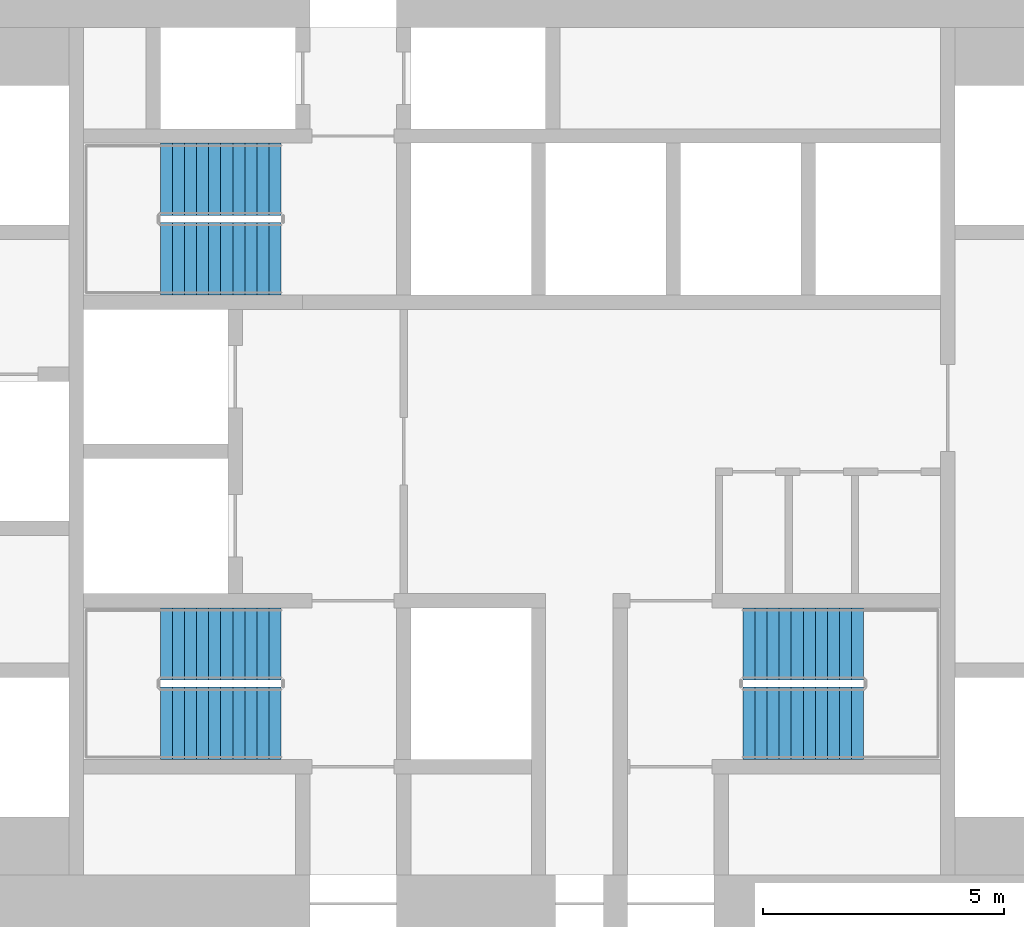
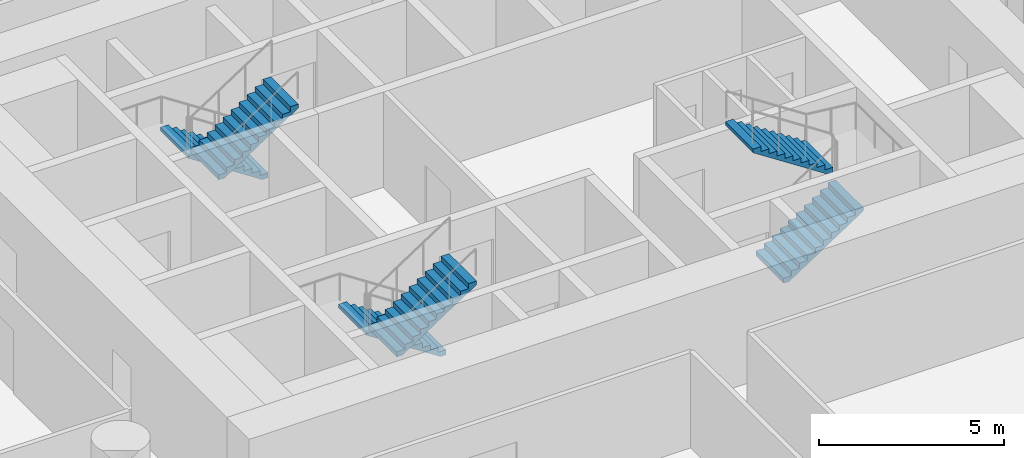
# One storey, part 11 of 12: 6 stair flights, 3 elements without a shape of their own.
"""IFC4 building model written with IfcOpenShell, lengths in metres."""

from ifc_helpers import new_model, si_unit, direction, frame, origin, place, context, subcontext, project, spatial, polyline, outline, extrude, material, type_object, element, aggregate, save


model = new_model("IFC4")

# Units and contexts
model_context = context("Model", 3, precision=1e-05, world=origin(), true_north=direction((0.0, 1.0)))
body_context = subcontext(model_context, "Body", "Model", "MODEL_VIEW")
ifc_project = project(units=[si_unit("LENGTHUNIT", "METRE"), si_unit("AREAUNIT", "SQUARE_METRE"), si_unit("VOLUMEUNIT", "CUBIC_METRE"), si_unit("PLANEANGLEUNIT", "RADIAN"), si_unit("MASSUNIT", "GRAM", prefix="KILO")], contexts=[model_context])

# Site, building, storey
site_placement = place(None, origin())
site = spatial("IfcSite", under=ifc_project, at=site_placement, CompositionType="ELEMENT")
building_placement = place(site_placement, origin())
building = spatial("IfcBuilding", under=site, at=building_placement, Name="Tracery Tower", CompositionType="ELEMENT")
storey_placement = place(building_placement, frame((0.0, 0.0, 31.800048828125)))
storey = spatial("IfcBuildingStorey", under=building, at=storey_placement, Name="L06", CompositionType="ELEMENT", Elevation=31.800048828125)

# Stair, stair flights
ifc_material_1 = material(Name="Concrete C32/40", Category="concrete")
stair_type = type_object("IfcStairType", Name="Core stair 22 risers", PredefinedType="HALF_TURN_STAIR", material=ifc_material_1)
stair_1_placement = place(storey_placement, origin())
stair_1 = element("IfcStair", 1, at=stair_1_placement, inside=storey, type_object=stair_type, Name="L06 stair ST1", PredefinedType="HALF_TURN_STAIR")
ifc_material_2 = material(Name="Concrete C32/40", Category="concrete")
stair_flight_type = type_object("IfcStairFlightType", Name="Core stair flight 11 risers", PredefinedType="STRAIGHT", material=ifc_material_2)
stair_flight_1_placement = place(storey_placement, frame((-4.800048828125, -4.0, 0.0), z_axis=(0.0, 0.0, 1.0), x_axis=(-1.0, 0.0, 0.0)))
stair_flight_1 = element("IfcStairFlight", 2, at=stair_flight_1_placement, type_object=stair_flight_type, Name="ST1 flight 1", NumberOfRisers=11, NumberOfTreads=10, PredefinedType="STRAIGHT", RiserHeight=0.163636364, TreadLength=0.25, context=body_context, shape_type="SweptSolid", body=[
    extrude(outline(polyline([(0.0, 0.0), (0.0, 0.002685546875), (0.0, 0.00537109375), (0.0, 0.008056640625), (0.0, 0.0107421875), (0.0, 0.013427734375), (0.0, 0.01611328125), (0.0, 0.018798828125), (0.0, 0.021484375), (0.0, 0.024169921875), (0.0, 0.02685546875), (0.0, 0.029541015625), (0.0, 0.0322265625), (0.0, 0.034912109375), (0.0, 0.03759765625), (0.0, 0.040283203125), (0.0, 0.04296875), (0.0, 0.045654296875), (0.0, 0.04833984375), (0.0, 0.051025390625), (0.0, 0.0537109375), (0.0, 0.056396484375), (0.0, 0.05908203125), (0.0, 0.061767578125), (0.0, 0.064453125), (0.0, 0.067138671875), (0.0, 0.06982421875), (0.0, 0.072509765625), (0.0, 0.0751953125), (0.0, 0.077880859375), (0.0, 0.08056640625), (0.0, 0.083251953125), (0.0, 0.0859375), (0.0, 0.088623046875), (0.0, 0.09130859375), (0.0, 0.093994140625), (0.0, 0.0966796875), (0.0, 0.099365234375), (0.0, 0.10205078125), (0.0, 0.104736328125), (0.0, 0.107421875), (0.0, 0.10986328125), (0.0, 0.112548828125), (0.0, 0.115234375), (0.0, 0.117919921875), (0.0, 0.12060546875), (0.0, 0.123291015625), (0.0, 0.1259765625), (0.0, 0.128662109375), (0.0, 0.13134765625), (0.0, 0.134033203125), (0.0, 0.13671875), (0.0, 0.139404296875), (0.0, 0.14208984375), (0.0, 0.144775390625), (0.0, 0.1474609375), (0.0, 0.150146484375), (0.0, 0.15283203125), (0.0, 0.155517578125), (0.0, 0.158203125), (0.0, 0.160888671875), (0.0, 0.16357421875), (0.25, 0.16357421875), (0.25, 0.327392578125), (0.5, 0.327392578125), (0.5, 0.490966796875), (0.75, 0.490966796875), (0.75, 0.654541015625), (1.0, 0.654541015625), (1.0, 0.818115234375), (1.25, 0.818115234375), (1.25, 0.98193359375), (1.5, 0.98193359375), (1.5, 1.1455078125), (1.75, 1.1455078125), (1.75, 1.30908203125), (2.0, 1.30908203125), (2.0, 1.47265625), (2.25, 1.47265625), (2.25, 1.636474609375), (2.5, 1.636474609375), (2.5, 1.634521484375), (2.5, 1.63232421875), (2.5, 1.63037109375), (2.5, 1.62841796875), (2.5, 1.62646484375), (2.5, 1.62451171875), (2.5, 1.62255859375), (2.5, 1.62060546875), (2.5, 1.61865234375), (2.5, 1.61669921875), (2.5, 1.61474609375), (2.5, 1.61279296875), (2.5, 1.61083984375), (2.5, 1.60888671875), (2.5, 1.60693359375), (2.5, 1.60498046875), (2.5, 1.60302734375), (2.5, 1.60107421875), (2.5, 1.59912109375), (2.5, 1.59716796875), (2.5, 1.59521484375), (2.5, 1.59326171875), (2.5, 1.59130859375), (2.5, 1.58935546875), (2.5, 1.58740234375), (2.5, 1.58544921875), (2.5, 1.58349609375), (2.5, 1.58154296875), (2.5, 1.57958984375), (2.5, 1.57763671875), (2.5, 1.57568359375), (2.5, 1.573486328125), (2.5, 1.571533203125), (2.5, 1.569580078125), (2.5, 1.567626953125), (2.5, 1.565673828125), (2.5, 1.563720703125), (2.5, 1.561767578125), (2.5, 1.559814453125), (2.5, 1.557861328125), (2.5, 1.555908203125), (2.5, 1.553955078125), (2.5, 1.552001953125), (2.5, 1.550048828125), (2.5, 1.548095703125), (2.5, 1.546142578125), (2.5, 1.544189453125), (2.5, 1.542236328125), (2.5, 1.540283203125), (2.5, 1.538330078125), (2.5, 1.536376953125), (2.5, 1.534423828125), (2.5, 1.532470703125), (2.5, 1.530517578125), (2.5, 1.528564453125), (2.5, 1.526611328125), (2.5, 1.524658203125), (2.5, 1.522705078125), (2.5, 1.520751953125), (2.5, 1.518798828125), (2.5, 1.516845703125), (0.182861328125, 0.0), (0.0, 0.0)])), frame((0.0, 0.75, 0.0), z_axis=(0.0, -1.0, 0.0), x_axis=(1.0, 0.0, 0.0)), (0.0, 0.0, 1.0), 1.5),
])
stair_flight_2_placement = place(storey_placement, frame((-7.300048828125, -5.64990234375, 1.800048828125), z_axis=(0.0, 0.0, 1.0), x_axis=(1.0, 0.0, 0.0)))
stair_flight_2 = element("IfcStairFlight", 3, at=stair_flight_2_placement, type_object=stair_flight_type, Name="ST1 flight 2", NumberOfRisers=11, NumberOfTreads=10, PredefinedType="STRAIGHT", RiserHeight=0.163636364, TreadLength=0.25, context=body_context, shape_type="SweptSolid", body=[
    extrude(outline(polyline([(0.0, 0.0), (0.0, 0.002685546875), (0.0, 0.00537109375), (0.0, 0.008056640625), (0.0, 0.0107421875), (0.0, 0.013427734375), (0.0, 0.01611328125), (0.0, 0.018798828125), (0.0, 0.021484375), (0.0, 0.024169921875), (0.0, 0.02685546875), (0.0, 0.029541015625), (0.0, 0.0322265625), (0.0, 0.034912109375), (0.0, 0.03759765625), (0.0, 0.040283203125), (0.0, 0.04296875), (0.0, 0.045654296875), (0.0, 0.04833984375), (0.0, 0.051025390625), (0.0, 0.0537109375), (0.0, 0.056396484375), (0.0, 0.05908203125), (0.0, 0.061767578125), (0.0, 0.064453125), (0.0, 0.067138671875), (0.0, 0.06982421875), (0.0, 0.072509765625), (0.0, 0.0751953125), (0.0, 0.077880859375), (0.0, 0.08056640625), (0.0, 0.083251953125), (0.0, 0.0859375), (0.0, 0.088623046875), (0.0, 0.09130859375), (0.0, 0.093994140625), (0.0, 0.0966796875), (0.0, 0.099365234375), (0.0, 0.10205078125), (0.0, 0.104736328125), (0.0, 0.107421875), (0.0, 0.10986328125), (0.0, 0.112548828125), (0.0, 0.115234375), (0.0, 0.117919921875), (0.0, 0.12060546875), (0.0, 0.123291015625), (0.0, 0.1259765625), (0.0, 0.128662109375), (0.0, 0.13134765625), (0.0, 0.134033203125), (0.0, 0.13671875), (0.0, 0.139404296875), (0.0, 0.14208984375), (0.0, 0.144775390625), (0.0, 0.1474609375), (0.0, 0.150146484375), (0.0, 0.15283203125), (0.0, 0.155517578125), (0.0, 0.158203125), (0.0, 0.160888671875), (0.0, 0.16357421875), (0.25, 0.16357421875), (0.25, 0.327392578125), (0.5, 0.327392578125), (0.5, 0.490966796875), (0.75, 0.490966796875), (0.75, 0.654541015625), (1.0, 0.654541015625), (1.0, 0.818115234375), (1.25, 0.818115234375), (1.25, 0.98193359375), (1.5, 0.98193359375), (1.5, 1.1455078125), (1.75, 1.1455078125), (1.75, 1.30908203125), (2.0, 1.30908203125), (2.0, 1.47265625), (2.25, 1.47265625), (2.25, 1.636474609375), (2.5, 1.636474609375), (2.5, 1.634521484375), (2.5, 1.63232421875), (2.5, 1.63037109375), (2.5, 1.62841796875), (2.5, 1.62646484375), (2.5, 1.62451171875), (2.5, 1.62255859375), (2.5, 1.62060546875), (2.5, 1.61865234375), (2.5, 1.61669921875), (2.5, 1.61474609375), (2.5, 1.61279296875), (2.5, 1.61083984375), (2.5, 1.60888671875), (2.5, 1.60693359375), (2.5, 1.60498046875), (2.5, 1.60302734375), (2.5, 1.60107421875), (2.5, 1.59912109375), (2.5, 1.59716796875), (2.5, 1.59521484375), (2.5, 1.59326171875), (2.5, 1.59130859375), (2.5, 1.58935546875), (2.5, 1.58740234375), (2.5, 1.58544921875), (2.5, 1.58349609375), (2.5, 1.58154296875), (2.5, 1.57958984375), (2.5, 1.57763671875), (2.5, 1.57568359375), (2.5, 1.573486328125), (2.5, 1.571533203125), (2.5, 1.569580078125), (2.5, 1.567626953125), (2.5, 1.565673828125), (2.5, 1.563720703125), (2.5, 1.561767578125), (2.5, 1.559814453125), (2.5, 1.557861328125), (2.5, 1.555908203125), (2.5, 1.553955078125), (2.5, 1.552001953125), (2.5, 1.550048828125), (2.5, 1.548095703125), (2.5, 1.546142578125), (2.5, 1.544189453125), (2.5, 1.542236328125), (2.5, 1.540283203125), (2.5, 1.538330078125), (2.5, 1.536376953125), (2.5, 1.534423828125), (2.5, 1.532470703125), (2.5, 1.530517578125), (2.5, 1.528564453125), (2.5, 1.526611328125), (2.5, 1.524658203125), (2.5, 1.522705078125), (2.5, 1.520751953125), (2.5, 1.518798828125), (2.5, 1.516845703125), (0.182861328125, 0.0), (0.0, 0.0)])), frame((0.0, 0.75, 0.0), z_axis=(0.0, -1.0, 0.0), x_axis=(1.0, 0.0, 0.0)), (0.0, 0.0, 1.0), 1.5),
])
aggregate(stair_1, [stair_flight_1, stair_flight_2])

stair_2_placement = place(storey_placement, origin())
stair_2 = element("IfcStair", 4, at=stair_2_placement, inside=storey, type_object=stair_type, Name="L06 stair ST3", PredefinedType="HALF_TURN_STAIR")
stair_flight_3_placement = place(storey_placement, frame((-4.800048828125, 5.64990234375, 0.0), z_axis=(0.0, 0.0, 1.0), x_axis=(-1.0, 0.0, 0.0)))
stair_flight_3 = element("IfcStairFlight", 5, at=stair_flight_3_placement, type_object=stair_flight_type, Name="ST3 flight 1", NumberOfRisers=11, NumberOfTreads=10, PredefinedType="STRAIGHT", RiserHeight=0.163636364, TreadLength=0.25, context=body_context, shape_type="SweptSolid", body=[
    extrude(outline(polyline([(0.0, 0.0), (0.0, 0.002685546875), (0.0, 0.00537109375), (0.0, 0.008056640625), (0.0, 0.0107421875), (0.0, 0.013427734375), (0.0, 0.01611328125), (0.0, 0.018798828125), (0.0, 0.021484375), (0.0, 0.024169921875), (0.0, 0.02685546875), (0.0, 0.029541015625), (0.0, 0.0322265625), (0.0, 0.034912109375), (0.0, 0.03759765625), (0.0, 0.040283203125), (0.0, 0.04296875), (0.0, 0.045654296875), (0.0, 0.04833984375), (0.0, 0.051025390625), (0.0, 0.0537109375), (0.0, 0.056396484375), (0.0, 0.05908203125), (0.0, 0.061767578125), (0.0, 0.064453125), (0.0, 0.067138671875), (0.0, 0.06982421875), (0.0, 0.072509765625), (0.0, 0.0751953125), (0.0, 0.077880859375), (0.0, 0.08056640625), (0.0, 0.083251953125), (0.0, 0.0859375), (0.0, 0.088623046875), (0.0, 0.09130859375), (0.0, 0.093994140625), (0.0, 0.0966796875), (0.0, 0.099365234375), (0.0, 0.10205078125), (0.0, 0.104736328125), (0.0, 0.107421875), (0.0, 0.10986328125), (0.0, 0.112548828125), (0.0, 0.115234375), (0.0, 0.117919921875), (0.0, 0.12060546875), (0.0, 0.123291015625), (0.0, 0.1259765625), (0.0, 0.128662109375), (0.0, 0.13134765625), (0.0, 0.134033203125), (0.0, 0.13671875), (0.0, 0.139404296875), (0.0, 0.14208984375), (0.0, 0.144775390625), (0.0, 0.1474609375), (0.0, 0.150146484375), (0.0, 0.15283203125), (0.0, 0.155517578125), (0.0, 0.158203125), (0.0, 0.160888671875), (0.0, 0.16357421875), (0.25, 0.16357421875), (0.25, 0.327392578125), (0.5, 0.327392578125), (0.5, 0.490966796875), (0.75, 0.490966796875), (0.75, 0.654541015625), (1.0, 0.654541015625), (1.0, 0.818115234375), (1.25, 0.818115234375), (1.25, 0.98193359375), (1.5, 0.98193359375), (1.5, 1.1455078125), (1.75, 1.1455078125), (1.75, 1.30908203125), (2.0, 1.30908203125), (2.0, 1.47265625), (2.25, 1.47265625), (2.25, 1.636474609375), (2.5, 1.636474609375), (2.5, 1.634521484375), (2.5, 1.63232421875), (2.5, 1.63037109375), (2.5, 1.62841796875), (2.5, 1.62646484375), (2.5, 1.62451171875), (2.5, 1.62255859375), (2.5, 1.62060546875), (2.5, 1.61865234375), (2.5, 1.61669921875), (2.5, 1.61474609375), (2.5, 1.61279296875), (2.5, 1.61083984375), (2.5, 1.60888671875), (2.5, 1.60693359375), (2.5, 1.60498046875), (2.5, 1.60302734375), (2.5, 1.60107421875), (2.5, 1.59912109375), (2.5, 1.59716796875), (2.5, 1.59521484375), (2.5, 1.59326171875), (2.5, 1.59130859375), (2.5, 1.58935546875), (2.5, 1.58740234375), (2.5, 1.58544921875), (2.5, 1.58349609375), (2.5, 1.58154296875), (2.5, 1.57958984375), (2.5, 1.57763671875), (2.5, 1.57568359375), (2.5, 1.573486328125), (2.5, 1.571533203125), (2.5, 1.569580078125), (2.5, 1.567626953125), (2.5, 1.565673828125), (2.5, 1.563720703125), (2.5, 1.561767578125), (2.5, 1.559814453125), (2.5, 1.557861328125), (2.5, 1.555908203125), (2.5, 1.553955078125), (2.5, 1.552001953125), (2.5, 1.550048828125), (2.5, 1.548095703125), (2.5, 1.546142578125), (2.5, 1.544189453125), (2.5, 1.542236328125), (2.5, 1.540283203125), (2.5, 1.538330078125), (2.5, 1.536376953125), (2.5, 1.534423828125), (2.5, 1.532470703125), (2.5, 1.530517578125), (2.5, 1.528564453125), (2.5, 1.526611328125), (2.5, 1.524658203125), (2.5, 1.522705078125), (2.5, 1.520751953125), (2.5, 1.518798828125), (2.5, 1.516845703125), (0.182861328125, 0.0), (0.0, 0.0)])), frame((0.0, 0.75, 0.0), z_axis=(0.0, -1.0, 0.0), x_axis=(1.0, 0.0, 0.0)), (0.0, 0.0, 1.0), 1.5),
])
stair_flight_4_placement = place(storey_placement, frame((-7.300048828125, 4.0, 1.800048828125), z_axis=(0.0, 0.0, 1.0), x_axis=(1.0, 0.0, 0.0)))
stair_flight_4 = element("IfcStairFlight", 6, at=stair_flight_4_placement, type_object=stair_flight_type, Name="ST3 flight 2", NumberOfRisers=11, NumberOfTreads=10, PredefinedType="STRAIGHT", RiserHeight=0.163636364, TreadLength=0.25, context=body_context, shape_type="SweptSolid", body=[
    extrude(outline(polyline([(0.0, 0.0), (0.0, 0.002685546875), (0.0, 0.00537109375), (0.0, 0.008056640625), (0.0, 0.0107421875), (0.0, 0.013427734375), (0.0, 0.01611328125), (0.0, 0.018798828125), (0.0, 0.021484375), (0.0, 0.024169921875), (0.0, 0.02685546875), (0.0, 0.029541015625), (0.0, 0.0322265625), (0.0, 0.034912109375), (0.0, 0.03759765625), (0.0, 0.040283203125), (0.0, 0.04296875), (0.0, 0.045654296875), (0.0, 0.04833984375), (0.0, 0.051025390625), (0.0, 0.0537109375), (0.0, 0.056396484375), (0.0, 0.05908203125), (0.0, 0.061767578125), (0.0, 0.064453125), (0.0, 0.067138671875), (0.0, 0.06982421875), (0.0, 0.072509765625), (0.0, 0.0751953125), (0.0, 0.077880859375), (0.0, 0.08056640625), (0.0, 0.083251953125), (0.0, 0.0859375), (0.0, 0.088623046875), (0.0, 0.09130859375), (0.0, 0.093994140625), (0.0, 0.0966796875), (0.0, 0.099365234375), (0.0, 0.10205078125), (0.0, 0.104736328125), (0.0, 0.107421875), (0.0, 0.10986328125), (0.0, 0.112548828125), (0.0, 0.115234375), (0.0, 0.117919921875), (0.0, 0.12060546875), (0.0, 0.123291015625), (0.0, 0.1259765625), (0.0, 0.128662109375), (0.0, 0.13134765625), (0.0, 0.134033203125), (0.0, 0.13671875), (0.0, 0.139404296875), (0.0, 0.14208984375), (0.0, 0.144775390625), (0.0, 0.1474609375), (0.0, 0.150146484375), (0.0, 0.15283203125), (0.0, 0.155517578125), (0.0, 0.158203125), (0.0, 0.160888671875), (0.0, 0.16357421875), (0.25, 0.16357421875), (0.25, 0.327392578125), (0.5, 0.327392578125), (0.5, 0.490966796875), (0.75, 0.490966796875), (0.75, 0.654541015625), (1.0, 0.654541015625), (1.0, 0.818115234375), (1.25, 0.818115234375), (1.25, 0.98193359375), (1.5, 0.98193359375), (1.5, 1.1455078125), (1.75, 1.1455078125), (1.75, 1.30908203125), (2.0, 1.30908203125), (2.0, 1.47265625), (2.25, 1.47265625), (2.25, 1.636474609375), (2.5, 1.636474609375), (2.5, 1.634521484375), (2.5, 1.63232421875), (2.5, 1.63037109375), (2.5, 1.62841796875), (2.5, 1.62646484375), (2.5, 1.62451171875), (2.5, 1.62255859375), (2.5, 1.62060546875), (2.5, 1.61865234375), (2.5, 1.61669921875), (2.5, 1.61474609375), (2.5, 1.61279296875), (2.5, 1.61083984375), (2.5, 1.60888671875), (2.5, 1.60693359375), (2.5, 1.60498046875), (2.5, 1.60302734375), (2.5, 1.60107421875), (2.5, 1.59912109375), (2.5, 1.59716796875), (2.5, 1.59521484375), (2.5, 1.59326171875), (2.5, 1.59130859375), (2.5, 1.58935546875), (2.5, 1.58740234375), (2.5, 1.58544921875), (2.5, 1.58349609375), (2.5, 1.58154296875), (2.5, 1.57958984375), (2.5, 1.57763671875), (2.5, 1.57568359375), (2.5, 1.573486328125), (2.5, 1.571533203125), (2.5, 1.569580078125), (2.5, 1.567626953125), (2.5, 1.565673828125), (2.5, 1.563720703125), (2.5, 1.561767578125), (2.5, 1.559814453125), (2.5, 1.557861328125), (2.5, 1.555908203125), (2.5, 1.553955078125), (2.5, 1.552001953125), (2.5, 1.550048828125), (2.5, 1.548095703125), (2.5, 1.546142578125), (2.5, 1.544189453125), (2.5, 1.542236328125), (2.5, 1.540283203125), (2.5, 1.538330078125), (2.5, 1.536376953125), (2.5, 1.534423828125), (2.5, 1.532470703125), (2.5, 1.530517578125), (2.5, 1.528564453125), (2.5, 1.526611328125), (2.5, 1.524658203125), (2.5, 1.522705078125), (2.5, 1.520751953125), (2.5, 1.518798828125), (2.5, 1.516845703125), (0.182861328125, 0.0), (0.0, 0.0)])), frame((0.0, 0.75, 0.0), z_axis=(0.0, -1.0, 0.0), x_axis=(1.0, 0.0, 0.0)), (0.0, 0.0, 1.0), 1.5),
])
aggregate(stair_2, [stair_flight_3, stair_flight_4])

stair_3_placement = place(storey_placement, origin())
stair_3 = element("IfcStair", 7, at=stair_3_placement, inside=storey, type_object=stair_type, Name="L06 stair ST2", PredefinedType="HALF_TURN_STAIR")
stair_flight_5_placement = place(storey_placement, frame((4.800048828125, -5.64990234375, 0.0), z_axis=(0.0, 0.0, 1.0), x_axis=(1.0, 0.0, 0.0)))
stair_flight_5 = element("IfcStairFlight", 8, at=stair_flight_5_placement, type_object=stair_flight_type, Name="ST2 flight 1", NumberOfRisers=11, NumberOfTreads=10, PredefinedType="STRAIGHT", RiserHeight=0.163636364, TreadLength=0.25, context=body_context, shape_type="SweptSolid", body=[
    extrude(outline(polyline([(0.0, 0.0), (0.0, 0.002685546875), (0.0, 0.00537109375), (0.0, 0.008056640625), (0.0, 0.0107421875), (0.0, 0.013427734375), (0.0, 0.01611328125), (0.0, 0.018798828125), (0.0, 0.021484375), (0.0, 0.024169921875), (0.0, 0.02685546875), (0.0, 0.029541015625), (0.0, 0.0322265625), (0.0, 0.034912109375), (0.0, 0.03759765625), (0.0, 0.040283203125), (0.0, 0.04296875), (0.0, 0.045654296875), (0.0, 0.04833984375), (0.0, 0.051025390625), (0.0, 0.0537109375), (0.0, 0.056396484375), (0.0, 0.05908203125), (0.0, 0.061767578125), (0.0, 0.064453125), (0.0, 0.067138671875), (0.0, 0.06982421875), (0.0, 0.072509765625), (0.0, 0.0751953125), (0.0, 0.077880859375), (0.0, 0.08056640625), (0.0, 0.083251953125), (0.0, 0.0859375), (0.0, 0.088623046875), (0.0, 0.09130859375), (0.0, 0.093994140625), (0.0, 0.0966796875), (0.0, 0.099365234375), (0.0, 0.10205078125), (0.0, 0.104736328125), (0.0, 0.107421875), (0.0, 0.10986328125), (0.0, 0.112548828125), (0.0, 0.115234375), (0.0, 0.117919921875), (0.0, 0.12060546875), (0.0, 0.123291015625), (0.0, 0.1259765625), (0.0, 0.128662109375), (0.0, 0.13134765625), (0.0, 0.134033203125), (0.0, 0.13671875), (0.0, 0.139404296875), (0.0, 0.14208984375), (0.0, 0.144775390625), (0.0, 0.1474609375), (0.0, 0.150146484375), (0.0, 0.15283203125), (0.0, 0.155517578125), (0.0, 0.158203125), (0.0, 0.160888671875), (0.0, 0.16357421875), (0.25, 0.16357421875), (0.25, 0.327392578125), (0.5, 0.327392578125), (0.5, 0.490966796875), (0.75, 0.490966796875), (0.75, 0.654541015625), (1.0, 0.654541015625), (1.0, 0.818115234375), (1.25, 0.818115234375), (1.25, 0.98193359375), (1.5, 0.98193359375), (1.5, 1.1455078125), (1.75, 1.1455078125), (1.75, 1.30908203125), (2.0, 1.30908203125), (2.0, 1.47265625), (2.25, 1.47265625), (2.25, 1.636474609375), (2.5, 1.636474609375), (2.5, 1.634521484375), (2.5, 1.63232421875), (2.5, 1.63037109375), (2.5, 1.62841796875), (2.5, 1.62646484375), (2.5, 1.62451171875), (2.5, 1.62255859375), (2.5, 1.62060546875), (2.5, 1.61865234375), (2.5, 1.61669921875), (2.5, 1.61474609375), (2.5, 1.61279296875), (2.5, 1.61083984375), (2.5, 1.60888671875), (2.5, 1.60693359375), (2.5, 1.60498046875), (2.5, 1.60302734375), (2.5, 1.60107421875), (2.5, 1.59912109375), (2.5, 1.59716796875), (2.5, 1.59521484375), (2.5, 1.59326171875), (2.5, 1.59130859375), (2.5, 1.58935546875), (2.5, 1.58740234375), (2.5, 1.58544921875), (2.5, 1.58349609375), (2.5, 1.58154296875), (2.5, 1.57958984375), (2.5, 1.57763671875), (2.5, 1.57568359375), (2.5, 1.573486328125), (2.5, 1.571533203125), (2.5, 1.569580078125), (2.5, 1.567626953125), (2.5, 1.565673828125), (2.5, 1.563720703125), (2.5, 1.561767578125), (2.5, 1.559814453125), (2.5, 1.557861328125), (2.5, 1.555908203125), (2.5, 1.553955078125), (2.5, 1.552001953125), (2.5, 1.550048828125), (2.5, 1.548095703125), (2.5, 1.546142578125), (2.5, 1.544189453125), (2.5, 1.542236328125), (2.5, 1.540283203125), (2.5, 1.538330078125), (2.5, 1.536376953125), (2.5, 1.534423828125), (2.5, 1.532470703125), (2.5, 1.530517578125), (2.5, 1.528564453125), (2.5, 1.526611328125), (2.5, 1.524658203125), (2.5, 1.522705078125), (2.5, 1.520751953125), (2.5, 1.518798828125), (2.5, 1.516845703125), (0.182861328125, 0.0), (0.0, 0.0)])), frame((0.0, 0.75, 0.0), z_axis=(0.0, -1.0, 0.0), x_axis=(1.0, 0.0, 0.0)), (0.0, 0.0, 1.0), 1.5),
])
stair_flight_6_placement = place(storey_placement, frame((7.300048828125, -4.0, 1.800048828125), z_axis=(0.0, 0.0, 1.0), x_axis=(-1.0, 0.0, 0.0)))
stair_flight_6 = element("IfcStairFlight", 9, at=stair_flight_6_placement, type_object=stair_flight_type, Name="ST2 flight 2", NumberOfRisers=11, NumberOfTreads=10, PredefinedType="STRAIGHT", RiserHeight=0.163636364, TreadLength=0.25, context=body_context, shape_type="SweptSolid", body=[
    extrude(outline(polyline([(0.0, 0.0), (0.0, 0.002685546875), (0.0, 0.00537109375), (0.0, 0.008056640625), (0.0, 0.0107421875), (0.0, 0.013427734375), (0.0, 0.01611328125), (0.0, 0.018798828125), (0.0, 0.021484375), (0.0, 0.024169921875), (0.0, 0.02685546875), (0.0, 0.029541015625), (0.0, 0.0322265625), (0.0, 0.034912109375), (0.0, 0.03759765625), (0.0, 0.040283203125), (0.0, 0.04296875), (0.0, 0.045654296875), (0.0, 0.04833984375), (0.0, 0.051025390625), (0.0, 0.0537109375), (0.0, 0.056396484375), (0.0, 0.05908203125), (0.0, 0.061767578125), (0.0, 0.064453125), (0.0, 0.067138671875), (0.0, 0.06982421875), (0.0, 0.072509765625), (0.0, 0.0751953125), (0.0, 0.077880859375), (0.0, 0.08056640625), (0.0, 0.083251953125), (0.0, 0.0859375), (0.0, 0.088623046875), (0.0, 0.09130859375), (0.0, 0.093994140625), (0.0, 0.0966796875), (0.0, 0.099365234375), (0.0, 0.10205078125), (0.0, 0.104736328125), (0.0, 0.107421875), (0.0, 0.10986328125), (0.0, 0.112548828125), (0.0, 0.115234375), (0.0, 0.117919921875), (0.0, 0.12060546875), (0.0, 0.123291015625), (0.0, 0.1259765625), (0.0, 0.128662109375), (0.0, 0.13134765625), (0.0, 0.134033203125), (0.0, 0.13671875), (0.0, 0.139404296875), (0.0, 0.14208984375), (0.0, 0.144775390625), (0.0, 0.1474609375), (0.0, 0.150146484375), (0.0, 0.15283203125), (0.0, 0.155517578125), (0.0, 0.158203125), (0.0, 0.160888671875), (0.0, 0.16357421875), (0.25, 0.16357421875), (0.25, 0.327392578125), (0.5, 0.327392578125), (0.5, 0.490966796875), (0.75, 0.490966796875), (0.75, 0.654541015625), (1.0, 0.654541015625), (1.0, 0.818115234375), (1.25, 0.818115234375), (1.25, 0.98193359375), (1.5, 0.98193359375), (1.5, 1.1455078125), (1.75, 1.1455078125), (1.75, 1.30908203125), (2.0, 1.30908203125), (2.0, 1.47265625), (2.25, 1.47265625), (2.25, 1.636474609375), (2.5, 1.636474609375), (2.5, 1.634521484375), (2.5, 1.63232421875), (2.5, 1.63037109375), (2.5, 1.62841796875), (2.5, 1.62646484375), (2.5, 1.62451171875), (2.5, 1.62255859375), (2.5, 1.62060546875), (2.5, 1.61865234375), (2.5, 1.61669921875), (2.5, 1.61474609375), (2.5, 1.61279296875), (2.5, 1.61083984375), (2.5, 1.60888671875), (2.5, 1.60693359375), (2.5, 1.60498046875), (2.5, 1.60302734375), (2.5, 1.60107421875), (2.5, 1.59912109375), (2.5, 1.59716796875), (2.5, 1.59521484375), (2.5, 1.59326171875), (2.5, 1.59130859375), (2.5, 1.58935546875), (2.5, 1.58740234375), (2.5, 1.58544921875), (2.5, 1.58349609375), (2.5, 1.58154296875), (2.5, 1.57958984375), (2.5, 1.57763671875), (2.5, 1.57568359375), (2.5, 1.573486328125), (2.5, 1.571533203125), (2.5, 1.569580078125), (2.5, 1.567626953125), (2.5, 1.565673828125), (2.5, 1.563720703125), (2.5, 1.561767578125), (2.5, 1.559814453125), (2.5, 1.557861328125), (2.5, 1.555908203125), (2.5, 1.553955078125), (2.5, 1.552001953125), (2.5, 1.550048828125), (2.5, 1.548095703125), (2.5, 1.546142578125), (2.5, 1.544189453125), (2.5, 1.542236328125), (2.5, 1.540283203125), (2.5, 1.538330078125), (2.5, 1.536376953125), (2.5, 1.534423828125), (2.5, 1.532470703125), (2.5, 1.530517578125), (2.5, 1.528564453125), (2.5, 1.526611328125), (2.5, 1.524658203125), (2.5, 1.522705078125), (2.5, 1.520751953125), (2.5, 1.518798828125), (2.5, 1.516845703125), (0.182861328125, 0.0), (0.0, 0.0)])), frame((0.0, 0.75, 0.0), z_axis=(0.0, -1.0, 0.0), x_axis=(1.0, 0.0, 0.0)), (0.0, 0.0, 1.0), 1.5),
])
aggregate(stair_3, [stair_flight_5, stair_flight_6])

save(model, "model.ifc")
